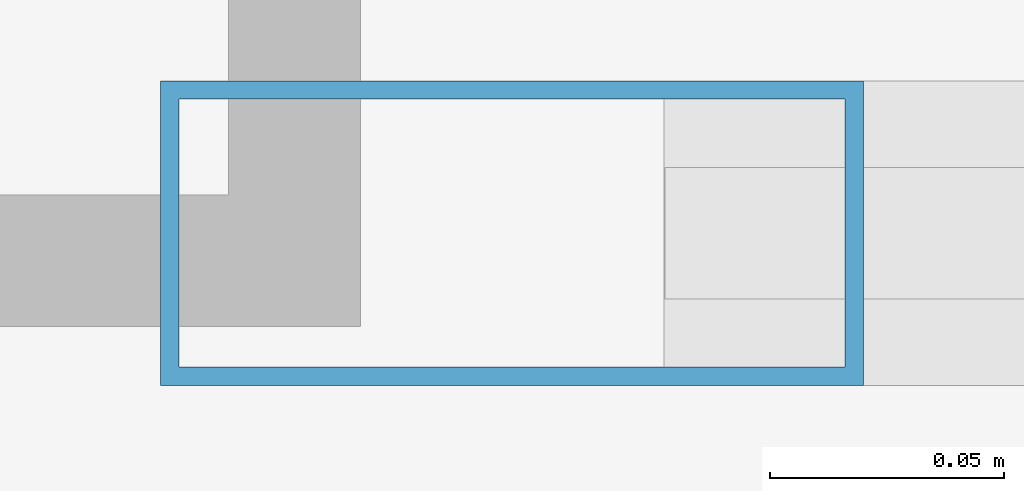
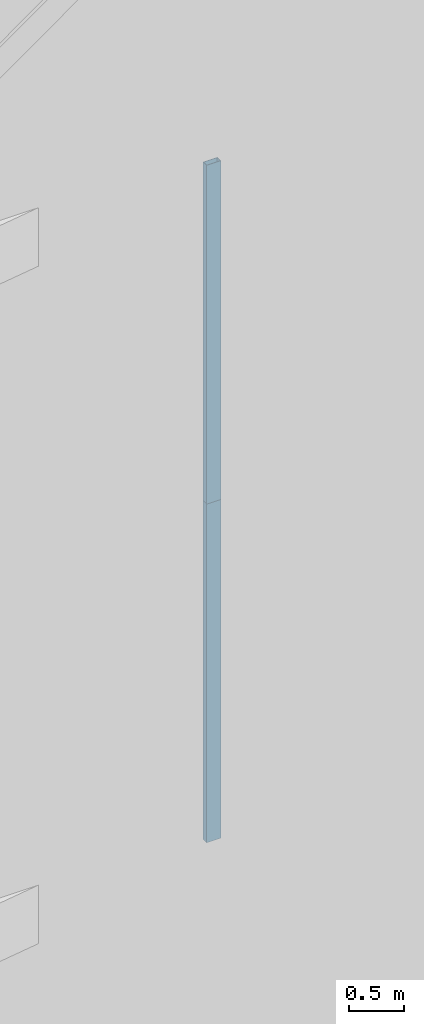
# One storey, part 17 of 28: 2 members, 2 elements without a shape of their own.
"""IFC4 building model written with IfcOpenShell, lengths in metres."""

from ifc_helpers import new_model, si_unit, direction, frame, origin, origin_2d, place, context, subcontext, project, spatial, hollow_rectangle, extrude, material, material_profile, profile_set, type_object, element, aggregate, save


model = new_model("IFC4")

# Units and contexts
model_context = context("Model", 3, precision=1e-05, world=origin(), true_north=direction((0.0, 1.0)))
body_context = subcontext(model_context, "Body", "Model", "MODEL_VIEW")
ifc_project = project(units=[si_unit("LENGTHUNIT", "METRE"), si_unit("AREAUNIT", "SQUARE_METRE"), si_unit("VOLUMEUNIT", "CUBIC_METRE"), si_unit("PLANEANGLEUNIT", "RADIAN"), si_unit("MASSUNIT", "GRAM", prefix="KILO")], contexts=[model_context])

# Site, building, storey
site_placement = place(None, origin())
site = spatial("IfcSite", under=ifc_project, at=site_placement, CompositionType="ELEMENT")
building_placement = place(site_placement, origin())
building = spatial("IfcBuilding", under=site, at=building_placement, Name="Tashvorn Skyway Center", CompositionType="ELEMENT")
storey_placement = place(building_placement, frame((0.0, 0.0, 277.60009765625)))
storey = spatial("IfcBuildingStorey", under=building, at=storey_placement, Name="Roof Level", CompositionType="ELEMENT", Elevation=277.60009765625)

# Curtain wall, member
ifc_material = material(Name="Thermally broken bronze-anodized aluminium 6063-T6", Category="aluminium")
curtain_wall_type = type_object("IfcCurtainWallType", Name="CW-CW-SKY", PredefinedType="NOTDEFINED", material=ifc_material)
curtain_wall_1_placement = place(storey_placement, origin())
curtain_wall_1 = element("IfcCurtainWall", 1, at=curtain_wall_1_placement, inside=storey, type_object=curtain_wall_type, Name="CROWN Lantern Fritted Curtain Wall T1 N-3", PredefinedType="NOTDEFINED")
ifc_material_profile = material_profile(ifc_material, hollow_rectangle(XDim=0.06494140625, YDim=0.14990234375, WallThickness=0.00390625, at=origin_2d()), Name="ALU-MULL-65x150")
ifc_profile_set = profile_set([ifc_material_profile], Name="Thermally broken bronze-anodized aluminium 6063-T6")
member_type = type_object("IfcMemberType", Name="CWM-CW-SKY", PredefinedType="MULLION", material=ifc_profile_set)
member_1_placement = place(storey_placement, frame((36.982421875, 46.219970703125, 7.52978515625), z_axis=(0.0, 0.0, 1.0), x_axis=(0.0, 1.0, 0.0)))
member_1 = element("IfcMember", 2, at=member_1_placement, type_object=member_type, Name="CW-SKY mullion 1", PredefinedType="MULLION", context=body_context, shape_type="SweptSolid", body=[
    extrude(hollow_rectangle(XDim=0.06494140625, YDim=0.14990234375, WallThickness=0.00390625, at=origin_2d()), origin(), (0.0, 0.0, 1.0), 3.76513671875),
])
aggregate(curtain_wall_1, [member_1])

curtain_wall_2_placement = place(storey_placement, origin())
curtain_wall_2 = element("IfcCurtainWall", 3, at=curtain_wall_2_placement, inside=storey, type_object=curtain_wall_type, Name="CROWN Lantern Fritted Curtain Wall T1 N-4", PredefinedType="NOTDEFINED")
member_2_placement = place(storey_placement, frame((36.982421875, 46.219970703125, 11.294921875), z_axis=(0.0, 0.0, 1.0), x_axis=(0.0, 1.0, 0.0)))
member_2 = element("IfcMember", 4, at=member_2_placement, type_object=member_type, Name="CW-SKY mullion 1", PredefinedType="MULLION", context=body_context, shape_type="SweptSolid", body=[
    extrude(hollow_rectangle(XDim=0.06494140625, YDim=0.14990234375, WallThickness=0.00390625, at=origin_2d()), origin(), (0.0, 0.0, 1.0), 3.764892578125),
])
aggregate(curtain_wall_2, [member_2])

save(model, "model.ifc")
